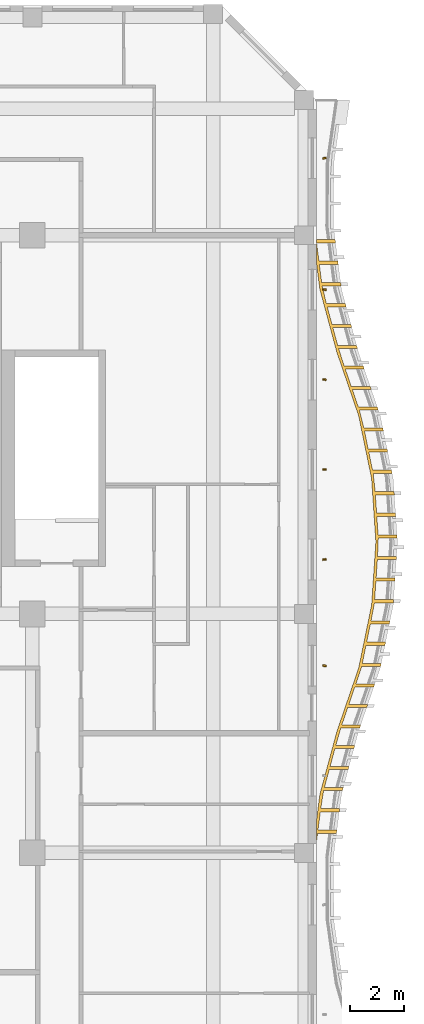
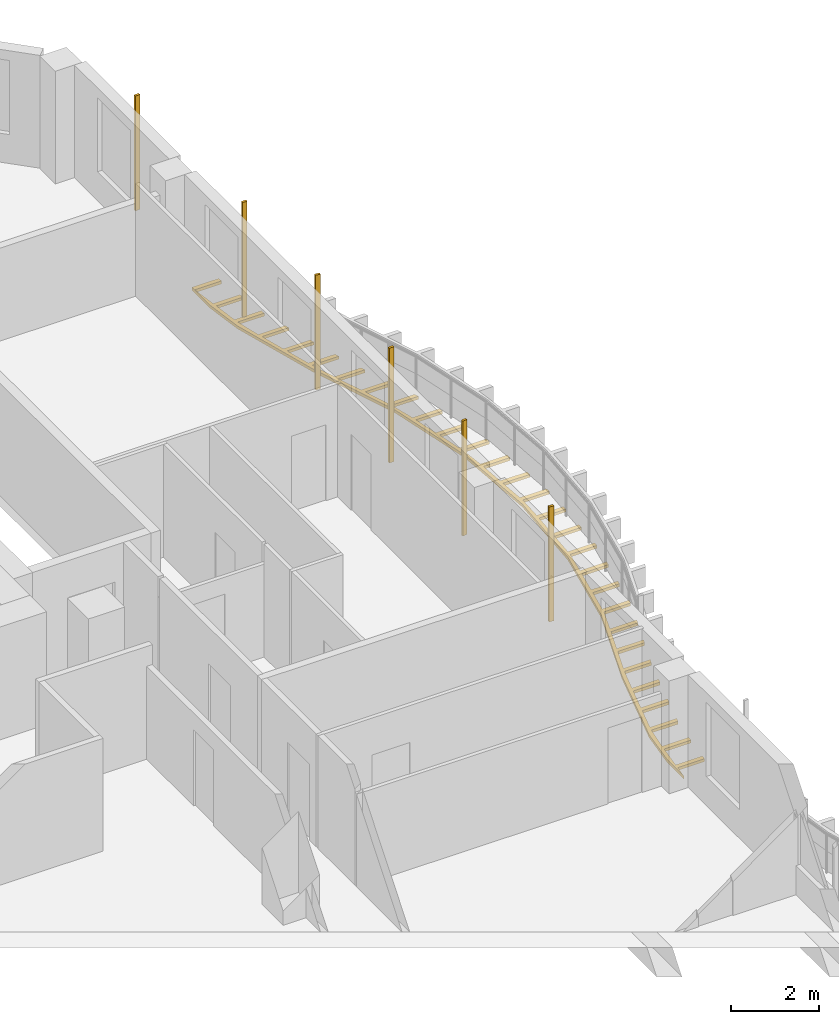
# One storey, part 18 of 18: 7 shading devices.
"""IFC4 building model written with IfcOpenShell, lengths in metres."""

from ifc_helpers import new_model, si_unit, direction, frame, origin, origin_2d, place, context, subcontext, project, spatial, polyline, rectangle, outline, extrude, source, transform, mapped, material, layer, layer_set, material_profile, profile_set, type_object, element, save


model = new_model("IFC4")

# Units and contexts
model_context = context("Model", 3, precision=1e-05, world=origin(), true_north=direction((0.0, 1.0)))
body_context = subcontext(model_context, "Body", "Model", "MODEL_VIEW")
ifc_project = project(units=[si_unit("LENGTHUNIT", "METRE"), si_unit("AREAUNIT", "SQUARE_METRE"), si_unit("VOLUMEUNIT", "CUBIC_METRE"), si_unit("PLANEANGLEUNIT", "RADIAN"), si_unit("MASSUNIT", "GRAM", prefix="KILO")], contexts=[model_context])

# Site, building, storey
site_placement = place(None, origin())
site = spatial("IfcSite", under=ifc_project, at=site_placement, CompositionType="ELEMENT")
building_placement = place(site_placement, origin())
building = spatial("IfcBuilding", under=site, at=building_placement, Name="Kilnfold Tower and Market Hall", CompositionType="ELEMENT")
storey_placement = place(building_placement, frame((0.0, 0.0, 256.0)))
storey = spatial("IfcBuildingStorey", under=building, at=storey_placement, Name="L62", CompositionType="ELEMENT", Elevation=256.0)

# Shading devices
ifc_material_1 = material(Name="Terracotta", Category="masonry")
ifc_material_profile = material_profile(ifc_material_1, rectangle(XDim=0.06005859375, YDim=0.1201171875, at=origin_2d()), Name="BAG 60x120")
ifc_profile_set = profile_set([ifc_material_profile], Name="Terracotta")
shading_device_type_1 = type_object("IfcShadingDeviceType", Name="BAGUETTE", PredefinedType="USERDEFINED", material=ifc_profile_set)
shared_shape_1 = source(origin(), body_context, "Body", "SweptSolid", [
    extrude(rectangle(XDim=0.06005859375, YDim=0.1201171875, at=origin_2d()), origin(), (0.0, 0.0, 1.0), 3.179931640625),
])
for number, where, z_axis, x_axis, name in (
    (1, (29.800048828125, 6.083251953125, 0.0), (0.0, 0.0, 1.0), (0.058220912512, 0.998303723997, 0.0), "Terracotta baguette L62 E"),
    (2, (29.800048828125, 10.012451171875, 0.0), (0.0, 0.0, 1.0), (-0.135283264232, 0.990806963247, 0.0), "Terracotta baguette L62 E"),
    (3, (29.800048828125, 13.33740234375, 0.0), (0.0, 0.0, 1.0), (-0.043417120975, 0.999057032209, 0.0), "Terracotta baguette L62 E"),
    (4, (29.800048828125, 16.66259765625, 0.0), (0.0, 0.0, 1.0), (0.128527319001, 0.991705968657, 0.0), "Terracotta baguette L62 E"),
    (5, (29.800048828125, 19.987548828125, 0.0), (0.0, 0.0, 1.0), (0.063610926171, 0.997974774266, 0.0), "Terracotta baguette L62 E"),
    (6, (29.800048828125, 24.85009765625, 0.0), (0.0, 0.0, 1.0), (-0.137855980271, 0.99045228492, 0.0), "Terracotta baguette L62 E"),
):
    element("IfcShadingDevice", number, at=place(storey_placement, frame(where, z_axis=z_axis, x_axis=x_axis)), inside=storey, type_object=shading_device_type_1, Name=name, ObjectType="BAGUETTE", PredefinedType="USERDEFINED", context=body_context, shape_type="MappedRepresentation", body=[
        mapped(shared_shape_1, transform((0.0, 0.0, 0.0))),
    ])
ifc_material_2 = material(Name="Bronze anodised aluminium", Category="aluminium")
ifc_layer = layer(ifc_material_2, 0.080078125)
ifc_layer_set = layer_set([ifc_layer], Name="Bronze anodised aluminium")
shading_device_type_2 = type_object("IfcShadingDeviceType", Name="BRONZE SLAT SOFFIT 80", PredefinedType="USERDEFINED", material=ifc_layer_set)
shared_shape_2 = source(origin(), body_context, "Body", "SweptSolid", [
    extrude(outline(polyline([(29.630615234375, 1.333251953125), (30.262939453125, 3.666748046875), (31.064453125, 6.0), (31.543701171875, 8.333251953125), (31.699951171875, 10.666748046875), (31.54248046875, 13.0), (31.06201171875, 15.333251953125), (30.260009765625, 17.666748046875), (29.62890625, 20.0), (29.5, 21.009521484375), (29.5, 21.837646484375), (30.194091796875, 21.837646484375), (30.20947265625, 21.718505859375), (29.509521484375, 21.718505859375), (29.595703125, 21.044189453125), (30.295654296875, 21.044189453125), (30.310791015625, 20.925048828125), (29.61083984375, 20.925048828125), (29.697021484375, 20.25048828125), (30.39697265625, 20.25048828125), (30.412109375, 20.131591796875), (29.712158203125, 20.131591796875), (29.871826171875, 19.471435546875), (30.572021484375, 19.471435546875), (30.603271484375, 19.355712890625), (29.9033203125, 19.355712890625), (30.080810546875, 18.69921875), (30.78076171875, 18.69921875), (30.81201171875, 18.58349609375), (30.112060546875, 18.58349609375), (30.28955078125, 17.927001953125), (30.989501953125, 17.927001953125), (31.020751953125, 17.811279296875), (30.32080078125, 17.811279296875), (30.5322265625, 17.165283203125), (31.232421875, 17.165283203125), (31.271240234375, 17.0517578125), (30.5712890625, 17.0517578125), (30.79248046875, 16.40869140625), (31.492431640625, 16.40869140625), (31.531494140625, 16.295166015625), (30.831298828125, 16.295166015625), (31.052490234375, 15.652099609375), (31.75244140625, 15.652099609375), (31.79150390625, 15.53857421875), (31.091552734375, 15.53857421875), (31.25537109375, 14.8798828125), (31.955322265625, 14.8798828125), (31.9794921875, 14.762451171875), (31.279541015625, 14.762451171875), (31.416748046875, 14.09619140625), (32.11669921875, 14.09619140625), (32.140869140625, 13.978759765625), (31.44091796875, 13.978759765625), (31.577880859375, 13.312744140625), (32.278076171875, 13.312744140625), (32.30224609375, 13.1953125), (31.602294921875, 13.1953125), (31.6748046875, 12.5205078125), (32.374755859375, 12.5205078125), (32.3828125, 12.400634765625), (31.682861328125, 12.400634765625), (31.728759765625, 11.72216796875), (32.4287109375, 11.72216796875), (32.436767578125, 11.6025390625), (31.73681640625, 11.6025390625), (31.78271484375, 10.924072265625), (32.482666015625, 10.924072265625), (32.49072265625, 10.80419921875), (31.790771484375, 10.80419921875), (31.763671875, 10.1259765625), (32.463623046875, 10.1259765625), (32.455810546875, 10.006103515625), (31.755615234375, 10.006103515625), (31.710205078125, 9.32763671875), (32.41015625, 9.32763671875), (32.402099609375, 9.2080078125), (31.7021484375, 9.2080078125), (31.65673828125, 8.529296875), (32.356689453125, 8.529296875), (32.3486328125, 8.40966796875), (31.648681640625, 8.40966796875), (31.522216796875, 7.7421875), (32.22216796875, 7.7421875), (32.197998046875, 7.624755859375), (31.498046875, 7.624755859375), (31.361328125, 6.95849609375), (32.061279296875, 6.95849609375), (32.037109375, 6.841064453125), (31.337158203125, 6.841064453125), (31.200439453125, 6.1748046875), (31.900390625, 6.1748046875), (31.876220703125, 6.057373046875), (31.17626953125, 6.057373046875), (30.962646484375, 5.412353515625), (31.66259765625, 5.412353515625), (31.62353515625, 5.298828125), (30.923583984375, 5.298828125), (30.70263671875, 4.65576171875), (31.402587890625, 4.65576171875), (31.36376953125, 4.542236328125), (30.663818359375, 4.542236328125), (30.442626953125, 3.899169921875), (31.142578125, 3.899169921875), (31.103759765625, 3.78564453125), (30.40380859375, 3.78564453125), (30.218017578125, 3.131591796875), (30.91796875, 3.131591796875), (30.88671875, 3.015869140625), (30.1865234375, 3.015869140625), (30.0087890625, 2.359619140625), (30.708740234375, 2.359619140625), (30.677490234375, 2.24365234375), (29.977294921875, 2.24365234375), (29.799560546875, 1.58740234375), (30.49951171875, 1.58740234375), (30.46826171875, 1.471435546875), (29.768310546875, 1.471435546875), (29.662353515625, 0.80078125), (30.3623046875, 0.80078125), (30.34716796875, 0.681884765625), (29.647216796875, 0.681884765625), (29.560546875, 0.00732421875), (30.260498046875, 0.00732421875), (30.245361328125, -0.111572265625), (29.54541015625, -0.111572265625), (29.5, -0.465087890625), (29.5, 0.314453125), (29.630615234375, 1.333251953125)])), origin(), (0.0, 0.0, 1.0), 0.080078125),
])
shading_device_placement = place(storey_placement, frame((0.0, 0.0, -0.300048828125)))
element("IfcShadingDevice", 7, at=shading_device_placement, inside=storey, type_object=shading_device_type_2, Name="Balcony soffit slats L62", ObjectType="SLAT", PredefinedType="USERDEFINED", context=body_context, shape_type="MappedRepresentation", body=[
    mapped(shared_shape_2, transform((0.0, 0.0, 0.0))),
])

save(model, "model.ifc")
